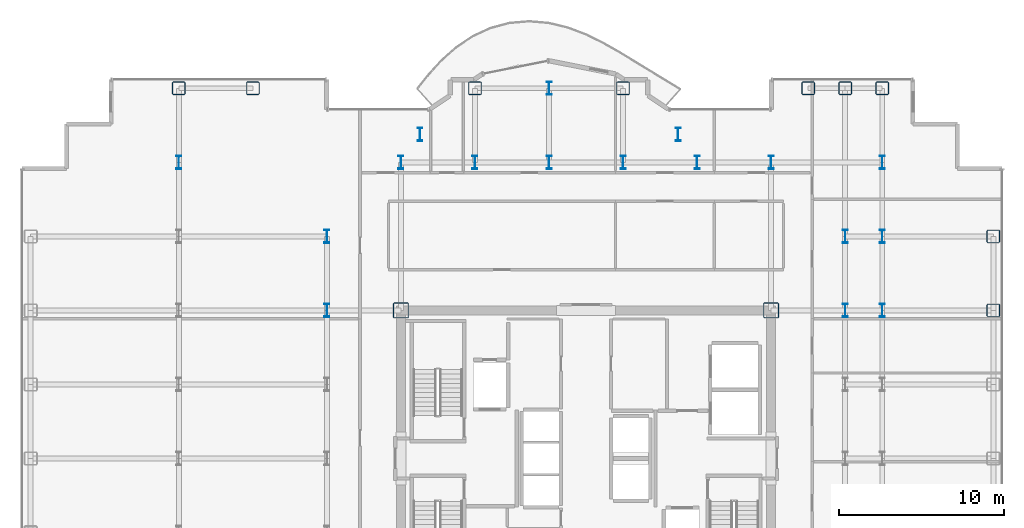
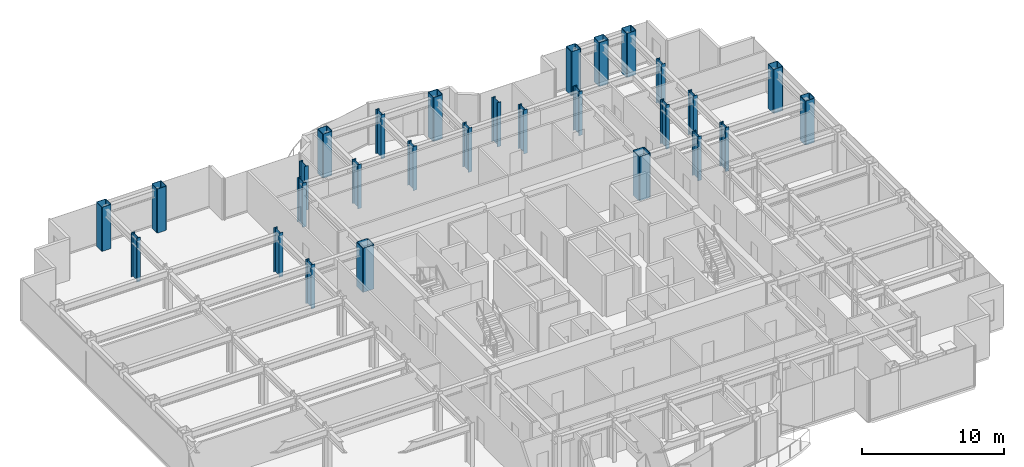
# One storey, part 2 of 22: 28 columns.
"""IFC4 building model written with IfcOpenShell, lengths in metres."""

from ifc_helpers import new_model, si_unit, direction, frame, origin, origin_2d, place, context, subcontext, project, spatial, hollow_rectangle, i_section, extrude, source, transform, mapped, material, material_profile, profile_set, type_object, element, save


model = new_model("IFC4")

# Units and contexts
model_context = context("Model", 3, precision=1e-05, world=origin(), true_north=direction((0.0, 1.0)))
body_context = subcontext(model_context, "Body", "Model", "MODEL_VIEW")
ifc_project = project(units=[si_unit("LENGTHUNIT", "METRE"), si_unit("AREAUNIT", "SQUARE_METRE"), si_unit("VOLUMEUNIT", "CUBIC_METRE"), si_unit("PLANEANGLEUNIT", "RADIAN"), si_unit("MASSUNIT", "GRAM", prefix="KILO")], contexts=[model_context])

# Site, building, storey
site_placement = place(None, origin())
site = spatial("IfcSite", under=ifc_project, at=site_placement, CompositionType="ELEMENT")
building_placement = place(site_placement, origin())
building = spatial("IfcBuilding", under=site, at=building_placement, Name="Nefas-Gora Pilgrimage Tower", CompositionType="ELEMENT")
storey_placement = place(building_placement, frame((0.0, 0.0, 179.199951171875)))
storey = spatial("IfcBuildingStorey", under=building, at=storey_placement, Name="L44", CompositionType="ELEMENT", Elevation=179.199951171875)

# Columns
ifc_material = material(Name="Steel S460", Category="steel")
ifc_material_profile_1 = material_profile(ifc_material, hollow_rectangle(XDim=0.949951171875, YDim=0.949951171875, WallThickness=0.044921875, InnerFilletRadius=0.044921875, OuterFilletRadius=0.090087890625, at=origin_2d()), Name="BOX 950x950x45")
ifc_profile_set_1 = profile_set([ifc_material_profile_1], Name="Steel S460")
column_type_1 = type_object("IfcColumnType", Name="COL-CORE-950", PredefinedType="COLUMN", material=ifc_profile_set_1)
shared_shape_1 = source(origin(), body_context, "Body", "SweptSolid", [
    extrude(hollow_rectangle(XDim=0.949951171875, YDim=0.949951171875, WallThickness=0.044921875, InnerFilletRadius=0.044921875, OuterFilletRadius=0.090087890625, at=origin_2d()), origin(), (0.0, 0.0, 1.0), 3.800048828125),
])
for number, where, z_axis, x_axis, name in (
    (1, (-11.25, 9.0, 0.0), (0.0, 0.0, 1.0), (1.0, 0.0, 0.0), "L44 Tower Column CC-Z1.30"),
    (2, (11.25, 9.0, 0.0), (0.0, 0.0, 1.0), (1.0, 0.0, 0.0), "L44 Tower Column CC-Z1.52"),
):
    element("IfcColumn", number, at=place(storey_placement, frame(where, z_axis=z_axis, x_axis=x_axis)), inside=storey, type_object=column_type_1, Name=name, PredefinedType="COLUMN", context=body_context, shape_type="MappedRepresentation", body=[
        mapped(shared_shape_1, transform((0.0, 0.0, 0.0), x_axis=(1.0, 0.0, 0.0), y_axis=(0.0, 1.0, 0.0), z_axis=(0.0, 0.0, 1.0), scale=1.0)),
    ])
ifc_material_profile_2 = material_profile(ifc_material, hollow_rectangle(XDim=0.800048828125, YDim=0.800048828125, WallThickness=0.0400390625, InnerFilletRadius=0.0400390625, OuterFilletRadius=0.080078125, at=origin_2d()), Name="BOX 800x800x40")
ifc_profile_set_2 = profile_set([ifc_material_profile_2], Name="Steel S460")
column_type_2 = type_object("IfcColumnType", Name="COL-TUBE-800", PredefinedType="COLUMN", material=ifc_profile_set_2)
shared_shape_2 = source(origin(), body_context, "Body", "SweptSolid", [
    extrude(hollow_rectangle(XDim=0.800048828125, YDim=0.800048828125, WallThickness=0.0400390625, InnerFilletRadius=0.0400390625, OuterFilletRadius=0.080078125, at=origin_2d()), origin(), (0.0, 0.0, 1.0), 3.800048828125),
])
for number, where, z_axis, x_axis, name in (
    (3, (-24.75, 22.5, 0.0), (0.0, 0.0, 1.0), (1.0, 0.0, 0.0), "L44 Tower Column C-Z2.18"),
    (4, (-20.25, 22.5, 0.0), (0.0, 0.0, 1.0), (1.0, 0.0, 0.0), "L44 Tower Column C-Z2.20"),
    (5, (-6.75, 22.5, 0.0), (0.0, 0.0, 1.0), (1.0, 0.0, 0.0), "L44 Tower Column C-Z2.37"),
    (6, (2.25, 22.5, 0.0), (0.0, 0.0, 1.0), (1.0, 0.0, 0.0), "L44 Tower Column C-Z2.45"),
    (7, (13.5, 22.5, 0.0), (0.0, 0.0, 1.0), (1.0, 0.0, 0.0), "L44 Tower Column C-Z2.55"),
    (8, (15.75, 22.5, 0.0), (0.0, 0.0, 1.0), (1.0, 0.0, 0.0), "L44 Tower Column C-Z2.64"),
    (9, (18.0, 22.5, 0.0), (0.0, 0.0, 1.0), (1.0, 0.0, 0.0), "L44 Tower Column C-Z2.75"),
    (10, (24.75, 9.0, 0.0), (0.0, 0.0, 1.0), (1.0, 0.0, 0.0), "L44 Tower Column C-Z2.81"),
    (11, (24.75, 13.5, 0.0), (0.0, 0.0, 1.0), (1.0, 0.0, 0.0), "L44 Tower Column C-Z2.82"),
):
    element("IfcColumn", number, at=place(storey_placement, frame(where, z_axis=z_axis, x_axis=x_axis)), inside=storey, type_object=column_type_2, Name=name, PredefinedType="COLUMN", context=body_context, shape_type="MappedRepresentation", body=[
        mapped(shared_shape_2, transform((0.0, 0.0, 0.0), x_axis=(1.0, 0.0, 0.0), y_axis=(0.0, 1.0, 0.0), z_axis=(0.0, 0.0, 1.0), scale=1.0)),
    ])
ifc_material_profile_3 = material_profile(ifc_material, i_section(OverallWidth=0.302978515625, OverallDepth=0.81396484375, WebThickness=0.02099609375, FlangeThickness=0.0400390625, FilletRadius=0.030029296875, at=origin_2d()), Name="HEM 800")
ifc_profile_set_3 = profile_set([ifc_material_profile_3], Name="Steel S460")
column_type_3 = type_object("IfcColumnType", Name="COL-WEB-HEM800", PredefinedType="COLUMN", material=ifc_profile_set_3)
shared_shape_3 = source(origin(), body_context, "Body", "SweptSolid", [
    extrude(i_section(OverallWidth=0.302978515625, OverallDepth=0.81396484375, WebThickness=0.02099609375, FlangeThickness=0.0400390625, FilletRadius=0.030029296875, at=origin_2d()), origin(), (0.0, 0.0, 1.0), 3.800048828125),
])
for number, where, z_axis, x_axis, name in (
    (12, (-24.75, 18.0, 0.0), (0.0, 0.0, 1.0), (1.0, 0.0, 0.0), "L44 Tower Column CW-02.17"),
    (13, (-15.75, 9.0, 0.0), (0.0, 0.0, 1.0), (1.0, 0.0, 0.0), "L44 Tower Column CW-02.26"),
    (14, (-15.75, 13.5, 0.0), (0.0, 0.0, 1.0), (1.0, 0.0, 0.0), "L44 Tower Column CW-02.27"),
    (15, (-11.25, 18.0, 0.0), (0.0, 0.0, 1.0), (1.0, 0.0, 0.0), "L44 Tower Column CW-02.31"),
    (16, (-10.091064453125, 19.696044921875, 0.0), (0.0, 0.0, 1.0), (1.0, 0.0, 0.0), "L44 Tower Column CW-02.33"),
    (17, (-6.75, 18.0, 0.0), (0.0, 0.0, 1.0), (1.0, 0.0, 0.0), "L44 Tower Column CW-02.36"),
    (18, (-2.25, 18.0, 0.0), (0.0, 0.0, 1.0), (1.0, 0.0, 0.0), "L44 Tower Column CW-02.40"),
    (19, (-2.25, 22.5, 0.0), (0.0, 0.0, 1.0), (1.0, 0.0, 0.0), "L44 Tower Column CW-02.41"),
    (20, (2.25, 18.0, 0.0), (0.0, 0.0, 1.0), (1.0, 0.0, 0.0), "L44 Tower Column CW-02.44"),
    (21, (5.591064453125, 19.696044921875, 0.0), (0.0, 0.0, 1.0), (1.0, 0.0, 0.0), "L44 Tower Column CW-02.47"),
    (22, (6.75, 18.0, 0.0), (0.0, 0.0, 1.0), (1.0, 0.0, 0.0), "L44 Tower Column CW-02.49"),
    (23, (11.25, 18.0, 0.0), (0.0, 0.0, 1.0), (1.0, 0.0, 0.0), "L44 Tower Column CW-02.53"),
    (24, (15.75, 9.0, 0.0), (0.0, 0.0, 1.0), (1.0, 0.0, 0.0), "L44 Tower Column CW-02.62"),
    (25, (15.75, 13.5, 0.0), (0.0, 0.0, 1.0), (1.0, 0.0, 0.0), "L44 Tower Column CW-02.63"),
    (26, (18.0, 9.0, 0.0), (0.0, 0.0, 1.0), (1.0, 0.0, 0.0), "L44 Tower Column CW-02.72"),
    (27, (18.0, 13.5, 0.0), (0.0, 0.0, 1.0), (1.0, 0.0, 0.0), "L44 Tower Column CW-02.73"),
    (28, (18.0, 18.0, 0.0), (0.0, 0.0, 1.0), (1.0, 0.0, 0.0), "L44 Tower Column CW-02.74"),
):
    element("IfcColumn", number, at=place(storey_placement, frame(where, z_axis=z_axis, x_axis=x_axis)), inside=storey, type_object=column_type_3, Name=name, PredefinedType="COLUMN", context=body_context, shape_type="MappedRepresentation", body=[
        mapped(shared_shape_3, transform((0.0, 0.0, 0.0), x_axis=(1.0, 0.0, 0.0), y_axis=(0.0, 1.0, 0.0), z_axis=(0.0, 0.0, 1.0), scale=1.0)),
    ])

save(model, "model.ifc")
